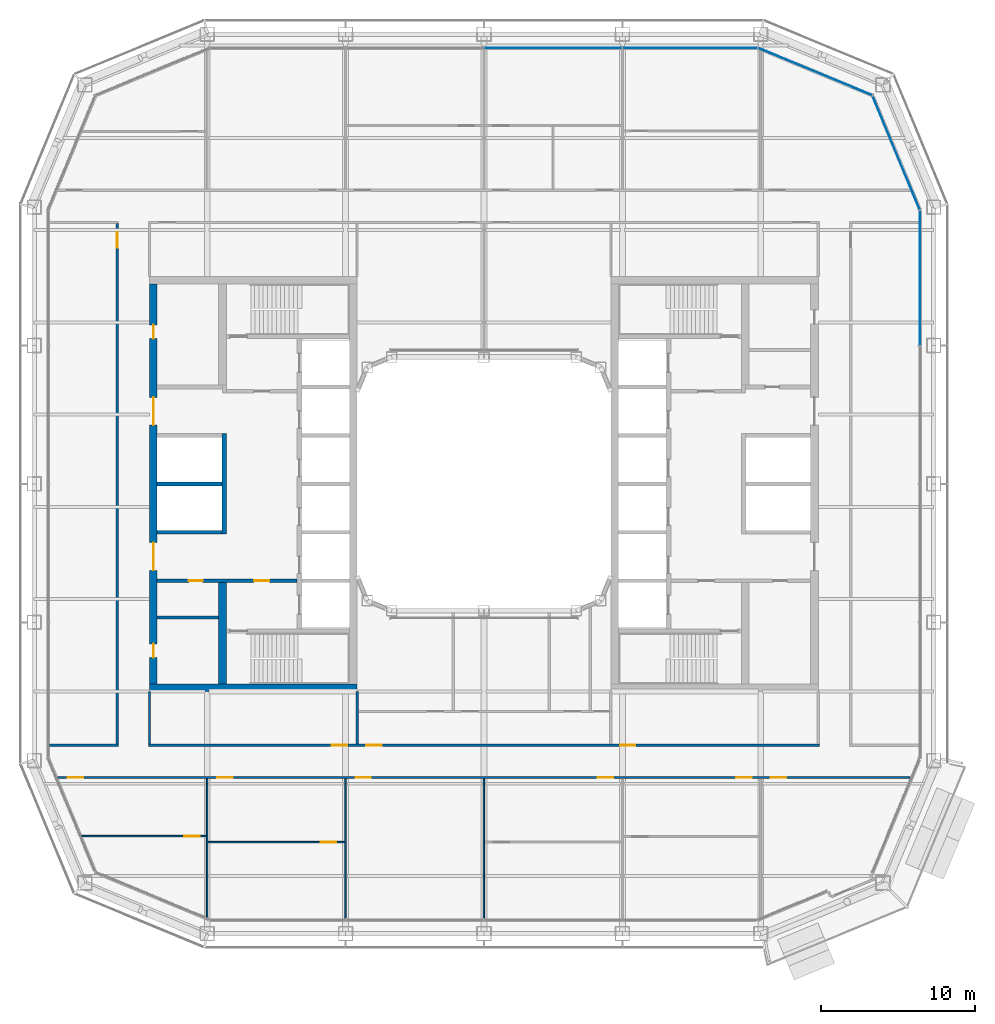
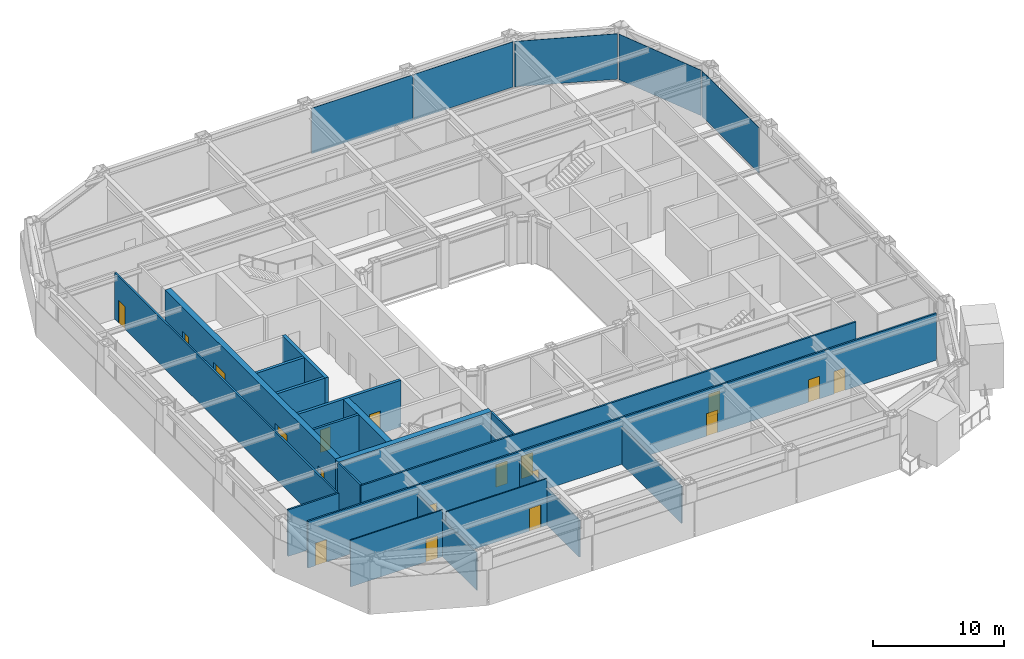
# One storey, part 11 of 23: 19 walls, 18 doors, 5 plates, 18 openings, 4 elements without a shape of their own.
"""IFC4 building model written with IfcOpenShell, lengths in metres."""

from ifc_helpers import new_model, si_unit, direction, frame, frame_2d, origin, origin_2d, place, context, subcontext, project, spatial, rectangle, extrude, material, layer, layer_set, type_object, element, fill, aggregate, save


model = new_model("IFC4")

# Units and contexts
model_context = context("Model", 3, precision=1e-05, world=origin(), true_north=direction((0.0, 1.0)))
body_context = subcontext(model_context, "Body", "Model", "MODEL_VIEW")
ifc_project = project(units=[si_unit("LENGTHUNIT", "METRE"), si_unit("AREAUNIT", "SQUARE_METRE"), si_unit("VOLUMEUNIT", "CUBIC_METRE"), si_unit("PLANEANGLEUNIT", "RADIAN"), si_unit("MASSUNIT", "GRAM", prefix="KILO")], contexts=[model_context])

# Site, building, storey
site_placement = place(None, origin())
site = spatial("IfcSite", under=ifc_project, at=site_placement, CompositionType="ELEMENT")
building_placement = place(site_placement, origin())
building = spatial("IfcBuilding", under=site, at=building_placement, Name="Siwar Civic Tower", CompositionType="ELEMENT")
storey_placement = place(building_placement, frame((0.0, 0.0, 109.199951171875)))
storey = spatial("IfcBuildingStorey", under=building, at=storey_placement, Name="L23", CompositionType="ELEMENT", Elevation=109.199951171875)

# Curtain wall, plate
ifc_material_1 = material(Name="Aluminium and glass", Category="aluminium")
ifc_layer_1 = layer(ifc_material_1, 0.199951171875)
ifc_layer_set_1 = layer_set([ifc_layer_1], Name="Aluminium and glass")
curtain_wall_type_1 = type_object("IfcCurtainWallType", Name="ENV-CW-B", PredefinedType="NOTDEFINED", material=ifc_layer_set_1)
curtain_wall_1_placement = place(storey_placement, origin())
curtain_wall_1 = element("IfcCurtainWall", 1, at=curtain_wall_1_placement, inside=storey, type_object=curtain_wall_type_1, Name="Curtain wall B E", PredefinedType="NOTDEFINED")
ifc_material_2 = material(Name="Glass clear laminated", Category="glass")
ifc_layer_2 = layer(ifc_material_2, 0.033935546875)
ifc_layer_set_2 = layer_set([ifc_layer_2], Name="Glass clear laminated")
plate_type_1 = type_object("IfcPlateType", Name="ENV-PANEL-B", PredefinedType="CURTAIN_PANEL", material=ifc_layer_set_2)
plate_1_placement = place(storey_placement, frame((28.35009765625, 13.369873046875, 0.10986328125), z_axis=(0.0, 0.0, 1.0), x_axis=(0.0, 1.0, 0.0)))
plate_1 = element("IfcPlate", 2, at=plate_1_placement, type_object=plate_type_1, Name="Curtain panel B E 4", PredefinedType="CURTAIN_PANEL", context=body_context, shape_type="SweptSolid", body=[
    extrude(rectangle(XDim=8.6748046875, YDim=0.033935546875, at=origin_2d()), origin(), (0.0, 0.0, 1.0), 4.239990234375),
])
aggregate(curtain_wall_1, [plate_1])

# Curtain wall, plates
curtain_wall_2_placement = place(storey_placement, origin())
curtain_wall_2 = element("IfcCurtainWall", 3, at=curtain_wall_2_placement, inside=storey, type_object=curtain_wall_type_1, Name="Curtain wall B N", PredefinedType="NOTDEFINED")
plate_2_placement = place(storey_placement, frame((13.410400390625, 28.35009765625, 0.10986328125), z_axis=(0.0, 0.0, 1.0), x_axis=(-1.0, 0.0, 0.0)))
plate_2 = element("IfcPlate", 4, at=plate_2_placement, type_object=plate_type_1, Name="Curtain panel B N 1", PredefinedType="CURTAIN_PANEL", context=body_context, shape_type="SweptSolid", body=[
    extrude(rectangle(XDim=8.755859375, YDim=0.033935546875, at=origin_2d()), origin(), (0.0, 0.0, 1.0), 4.239990234375),
])
plate_3_placement = place(storey_placement, frame((4.5, 28.35009765625, 0.10986328125), z_axis=(0.0, 0.0, 1.0), x_axis=(-1.0, 0.0, 0.0)))
plate_3 = element("IfcPlate", 5, at=plate_3_placement, type_object=plate_type_1, Name="Curtain panel B N 2", PredefinedType="CURTAIN_PANEL", context=body_context, shape_type="SweptSolid", body=[
    extrude(rectangle(XDim=8.93505859375, YDim=0.033935546875, at=origin_2d()), origin(), (0.0, 0.0, 1.0), 4.239990234375),
])
aggregate(curtain_wall_2, [plate_2, plate_3])

# Curtain wall, plate
ifc_material_3 = material(Name="Aluminium clad insulated panel", Category="aluminium")
ifc_layer_3 = layer(ifc_material_3, 0.199951171875)
ifc_layer_set_3 = layer_set([ifc_layer_3], Name="Aluminium clad insulated panel")
curtain_wall_type_2 = type_object("IfcCurtainWallType", Name="ENV-CW-BX", PredefinedType="NOTDEFINED", material=ifc_layer_set_3)
curtain_wall_3_placement = place(storey_placement, origin())
curtain_wall_3 = element("IfcCurtainWall", 6, at=curtain_wall_3_placement, inside=storey, type_object=curtain_wall_type_2, Name="Curtain wall B NE1", PredefinedType="NOTDEFINED")
ifc_material_4 = material(Name="Aluminium clad insulated panel", Category="aluminium")
ifc_layer_4 = layer(ifc_material_4, 0.033935546875)
ifc_layer_set_4 = layer_set([ifc_layer_4], Name="Aluminium clad insulated panel")
plate_type_2 = type_object("IfcPlateType", Name="ENV-PANEL-BX", PredefinedType="CURTAIN_PANEL", material=ifc_layer_set_4)
plate_4_placement = place(storey_placement, frame((26.823486328125, 21.506103515625, 0.10986328125), z_axis=(0.0, 0.0, 1.0), x_axis=(-0.382683432365, 0.923879532511, 0.0)))
plate_4 = element("IfcPlate", 7, at=plate_4_placement, type_object=plate_type_2, Name="Curtain panel B NE1 1", PredefinedType="CURTAIN_PANEL", context=body_context, shape_type="SweptSolid", body=[
    extrude(rectangle(XDim=7.912353515625, YDim=0.033935546875, at=origin_2d()), origin(), (0.0, 0.0, 1.0), 4.239990234375),
])
aggregate(curtain_wall_3, [plate_4])

curtain_wall_4_placement = place(storey_placement, origin())
curtain_wall_4 = element("IfcCurtainWall", 8, at=curtain_wall_4_placement, inside=storey, type_object=curtain_wall_type_2, Name="Curtain wall B NE2", PredefinedType="NOTDEFINED")
plate_5_placement = place(storey_placement, frame((21.5810546875, 26.79248046875, 0.10986328125), z_axis=(0.0, 0.0, 1.0), x_axis=(-0.923879532511, 0.382683432365, 0.0)))
plate_5 = element("IfcPlate", 9, at=plate_5_placement, type_object=plate_type_2, Name="Curtain panel B NE2 1", PredefinedType="CURTAIN_PANEL", context=body_context, shape_type="SweptSolid", body=[
    extrude(rectangle(XDim=7.912353515625, YDim=0.033935546875, at=origin_2d()), origin(), (0.0, 0.0, 1.0), 4.239990234375),
])
aggregate(curtain_wall_4, [plate_5])

# Wall
ifc_material_5 = material(Name="Gypsum board on steel studs", Category="steel")
ifc_layer_5 = layer(ifc_material_5, 0.199951171875)
ifc_layer_set_5 = layer_set([ifc_layer_5], Name="Gypsum board on steel studs")
wall_type_1 = type_object("IfcWallType", Name="CORE-PARTITION-200", PredefinedType="PARTITIONING", material=ifc_layer_set_5)
wall_1_placement = place(storey_placement, frame((-17.25, -8.699951171875, 0.0), z_axis=(0.0, 0.0, 1.0), x_axis=(-1.0, 0.0, 0.0)))
element("IfcWall", 10, at=wall_1_placement, inside=storey, type_object=wall_type_1, Name="Core partition W", PredefinedType="PARTITIONING", context=body_context, shape_type="SweptSolid", body=[
    extrude(rectangle(XDim=4.0, YDim=0.199951171875, at=frame_2d((2.0, 0.0))), origin(), (0.0, 0.0, 1.0), 4.35009765625),
])

# Wall, openings, doors
ifc_material_6 = material(Name="Concrete C60/75", Category="concrete")
ifc_layer_6 = layer(ifc_material_6, 0.25)
ifc_layer_set_6 = layer_set([ifc_layer_6], Name="Concrete C60/75")
wall_type_2 = type_object("IfcWallType", Name="CORE-WALL-RC250", PredefinedType="SHEAR", material=ifc_layer_set_6)
wall_2_placement = place(storey_placement, frame((-12.14990234375, -6.300048828125, 0.0), z_axis=(0.0, 0.0, 1.0), x_axis=(-1.0, 0.0, 0.0)))
wall_2 = element("IfcWall", 11, at=wall_2_placement, inside=storey, type_object=wall_type_2, Name="Core wall W", PredefinedType="SHEAR", context=body_context, shape_type="SweptSolid", body=[
    extrude(rectangle(XDim=9.10009765625, YDim=0.25, at=frame_2d((4.550048828125, 0.0))), origin(), (0.0, 0.0, 1.0), 4.35009765625),
])
opening_1_placement = place(wall_2_placement, frame((1.800048828125, 0.0, 0.0)))
opening_1 = element("IfcOpeningElement", 12, at=opening_1_placement, cuts=wall_2, Name="Opening L23-CW02", PredefinedType="OPENING", context=body_context, shape_type="SweptSolid", body=[
    extrude(rectangle(XDim=1.0, YDim=2.10009765625, at=frame_2d((0.5, 1.050048828125))), frame((0.0, 0.135009765625, 0.0), z_axis=(0.0, -1.0, 0.0), x_axis=(1.0, 0.0, 0.0)), (0.0, 0.0, 1.0), 0.27001953125),
])
opening_2_placement = place(wall_2_placement, frame((6.14990234375, 0.0, 0.0)))
opening_2 = element("IfcOpeningElement", 13, at=opening_2_placement, cuts=wall_2, Name="Opening L23-CW14", PredefinedType="OPENING", context=body_context, shape_type="SweptSolid", body=[
    extrude(rectangle(XDim=0.89990234375, YDim=2.10009765625, at=frame_2d((0.449951171875, 1.050048828125))), frame((0.0, 0.135009765625, 0.0), z_axis=(0.0, -1.0, 0.0), x_axis=(1.0, 0.0, 0.0)), (0.0, 0.0, 1.0), 0.27001953125),
])
ifc_material_7 = material(Name="Steel door leaf", Category="steel")
door_type_1 = type_object("IfcDoorType", Name="CORE-DOOR-FD30S", OperationType="SINGLE_SWING_LEFT", PredefinedType="DOOR", material=ifc_material_7)
door_1_placement = place(opening_1_placement, origin())
door_1 = element("IfcDoor", 14, at=door_1_placement, inside=storey, type_object=door_type_1, Name="Service lobby door L23-CW02", OperationType="SINGLE_SWING_RIGHT", OverallHeight=2.10009765625, OverallWidth=1.0, PredefinedType="DOOR", context=body_context, shape_type="SweptSolid", body=[
    extrude(rectangle(XDim=1.0, YDim=2.10009765625, at=frame_2d((0.5, 1.050048828125))), frame((0.0, 0.02490234375, 0.0), z_axis=(0.0, -1.0, 0.0), x_axis=(1.0, 0.0, 0.0)), (0.0, 0.0, 1.0), 0.050048828125),
])
fill(opening_1, door_1)
ifc_material_8 = material(Name="Steel door leaf", Category="steel")
door_type_2 = type_object("IfcDoorType", Name="CORE-DOOR-ROOM", OperationType="SINGLE_SWING_LEFT", PredefinedType="DOOR", material=ifc_material_8)
door_2_placement = place(opening_2_placement, origin())
door_2 = element("IfcDoor", 15, at=door_2_placement, inside=storey, type_object=door_type_2, Name="Core room door L23-CW14", OperationType="SINGLE_SWING_RIGHT", OverallHeight=2.10009765625, OverallWidth=0.89990234375, PredefinedType="DOOR", context=body_context, shape_type="SweptSolid", body=[
    extrude(rectangle(XDim=0.89990234375, YDim=2.10009765625, at=frame_2d((0.449951171875, 1.050048828125))), frame((0.0, 0.02490234375, 0.0), z_axis=(0.0, -1.0, 0.0), x_axis=(1.0, 0.0, 0.0)), (0.0, 0.0, 1.0), 0.050048828125),
])
fill(opening_2, door_2)

# Walls
for number, where, z_axis, x_axis, name in (
    (16, (-17.050048828125, 0.0, 0.0), (0.0, 0.0, 1.0), (-1.0, 0.0, 0.0), "Core wall W"),
    (17, (-17.050048828125, -3.14990234375, 0.0), (0.0, 0.0, 1.0), (-1.0, 0.0, 0.0), "Core wall W"),
):
    element("IfcWall", number, at=place(storey_placement, frame(where, z_axis=z_axis, x_axis=x_axis)), inside=storey, type_object=wall_type_2, Name=name, PredefinedType="SHEAR", context=body_context, shape_type="SweptSolid", body=[
        extrude(rectangle(XDim=4.199951171875, YDim=0.25, at=frame_2d((2.10009765625, 0.0))), origin(), (0.0, 0.0, 1.0), 4.35009765625),
    ])
ifc_material_9 = material(Name="Concrete C60/75", Category="concrete")
ifc_layer_7 = layer(ifc_material_9, 0.300048828125)
ifc_layer_set_7 = layer_set([ifc_layer_7], Name="Concrete C60/75")
wall_type_3 = type_object("IfcWallType", Name="CORE-WALL-RC300", PredefinedType="SHEAR", material=ifc_layer_set_7)
wall_3_placement = place(storey_placement, frame((-16.89990234375, -3.27490234375, 0.0), z_axis=(0.0, 0.0, 1.0), x_axis=(0.0, 1.0, 0.0)))
element("IfcWall", 18, at=wall_3_placement, inside=storey, type_object=wall_type_3, Name="Core wall W", PredefinedType="SHEAR", context=body_context, shape_type="SweptSolid", body=[
    extrude(rectangle(XDim=6.5498046875, YDim=0.300048828125, at=frame_2d((3.27490234375, 0.0))), origin(), (0.0, 0.0, 1.0), 4.35009765625),
])

# Wall, openings, doors
ifc_material_10 = material(Name="Concrete C60/75", Category="concrete")
ifc_layer_8 = layer(ifc_material_10, 0.5)
ifc_layer_set_8 = layer_set([ifc_layer_8], Name="Concrete C60/75")
wall_type_4 = type_object("IfcWallType", Name="CORE-WALL-RC500", PredefinedType="SHEAR", material=ifc_layer_set_8)
wall_4_placement = place(storey_placement, frame((-21.5, -13.0, 0.0), z_axis=(0.0, 0.0, 1.0), x_axis=(0.0, 1.0, 0.0)))
wall_4 = element("IfcWall", 19, at=wall_4_placement, inside=storey, type_object=wall_type_4, Name="Core wall W", PredefinedType="SHEAR", context=body_context, shape_type="SweptSolid", body=[
    extrude(rectangle(XDim=26.0, YDim=0.5, at=frame_2d((13.0, 0.0))), origin(), (0.0, 0.0, 1.0), 4.35009765625),
])
opening_3_placement = place(wall_4_placement, frame((16.824951171875, 0.0, 0.0)))
opening_3 = element("IfcOpeningElement", 20, at=opening_3_placement, cuts=wall_4, Name="Opening L23-CW05", PredefinedType="OPENING", context=body_context, shape_type="SweptSolid", body=[
    extrude(rectangle(XDim=1.800048828125, YDim=2.10009765625, at=frame_2d((0.89990234375, 1.050048828125))), frame((0.0, 0.260009765625, 0.0), z_axis=(0.0, -1.0, 0.0), x_axis=(1.0, 0.0, 0.0)), (0.0, 0.0, 1.0), 0.52001953125),
])
opening_4_placement = place(wall_4_placement, frame((7.375, 0.0, 0.0)))
opening_4 = element("IfcOpeningElement", 21, at=opening_4_placement, cuts=wall_4, Name="Opening L23-CW06", PredefinedType="OPENING", context=body_context, shape_type="SweptSolid", body=[
    extrude(rectangle(XDim=1.800048828125, YDim=2.10009765625, at=frame_2d((0.89990234375, 1.050048828125))), frame((0.0, 0.260009765625, 0.0), z_axis=(0.0, -1.0, 0.0), x_axis=(1.0, 0.0, 0.0)), (0.0, 0.0, 1.0), 0.52001953125),
])
opening_5_placement = place(wall_4_placement, frame((22.449951171875, 0.0, 0.0)))
opening_5 = element("IfcOpeningElement", 22, at=opening_5_placement, cuts=wall_4, Name="Opening L23-CW13", PredefinedType="OPENING", context=body_context, shape_type="SweptSolid", body=[
    extrude(rectangle(XDim=0.89990234375, YDim=2.10009765625, at=frame_2d((0.449951171875, 1.050048828125))), frame((0.0, 0.260009765625, 0.0), z_axis=(0.0, -1.0, 0.0), x_axis=(1.0, 0.0, 0.0)), (0.0, 0.0, 1.0), 0.52001953125),
])
opening_6_placement = place(wall_4_placement, frame((1.699951171875, 0.0, 0.0)))
opening_6 = element("IfcOpeningElement", 23, at=opening_6_placement, cuts=wall_4, Name="Opening L23-CW15", PredefinedType="OPENING", context=body_context, shape_type="SweptSolid", body=[
    extrude(rectangle(XDim=0.89990234375, YDim=2.10009765625, at=frame_2d((0.449951171875, 1.050048828125))), frame((0.0, 0.260009765625, 0.0), z_axis=(0.0, -1.0, 0.0), x_axis=(1.0, 0.0, 0.0)), (0.0, 0.0, 1.0), 0.52001953125),
])
ifc_material_11 = material(Name="Steel door leaf", Category="steel")
door_type_3 = type_object("IfcDoorType", Name="CORE-DOOR-PORT", OperationType="DOUBLE_DOOR_DOUBLE_SWING", PredefinedType="DOOR", material=ifc_material_11)
door_3_placement = place(opening_3_placement, origin())
door_3 = element("IfcDoor", 24, at=door_3_placement, inside=storey, type_object=door_type_3, Name="Core entrance door L23-CW05", OperationType="DOUBLE_DOOR_DOUBLE_SWING", OverallHeight=2.10009765625, OverallWidth=1.800048828125, PredefinedType="DOOR", context=body_context, shape_type="SweptSolid", body=[
    extrude(rectangle(XDim=1.800048828125, YDim=2.10009765625, at=frame_2d((0.89990234375, 1.050048828125))), frame((0.0, 0.02490234375, 0.0), z_axis=(0.0, -1.0, 0.0), x_axis=(1.0, 0.0, 0.0)), (0.0, 0.0, 1.0), 0.050048828125),
])
fill(opening_3, door_3)
door_4_placement = place(opening_4_placement, origin())
door_4 = element("IfcDoor", 25, at=door_4_placement, inside=storey, type_object=door_type_3, Name="Core entrance door L23-CW06", OperationType="DOUBLE_DOOR_DOUBLE_SWING", OverallHeight=2.10009765625, OverallWidth=1.800048828125, PredefinedType="DOOR", context=body_context, shape_type="SweptSolid", body=[
    extrude(rectangle(XDim=1.800048828125, YDim=2.10009765625, at=frame_2d((0.89990234375, 1.050048828125))), frame((0.0, 0.02490234375, 0.0), z_axis=(0.0, -1.0, 0.0), x_axis=(1.0, 0.0, 0.0)), (0.0, 0.0, 1.0), 0.050048828125),
])
fill(opening_4, door_4)
door_5_placement = place(opening_5_placement, origin())
door_5 = element("IfcDoor", 26, at=door_5_placement, inside=storey, type_object=door_type_2, Name="Core room door L23-CW13", OperationType="SINGLE_SWING_RIGHT", OverallHeight=2.10009765625, OverallWidth=0.89990234375, PredefinedType="DOOR", context=body_context, shape_type="SweptSolid", body=[
    extrude(rectangle(XDim=0.89990234375, YDim=2.10009765625, at=frame_2d((0.449951171875, 1.050048828125))), frame((0.0, 0.02490234375, 0.0), z_axis=(0.0, -1.0, 0.0), x_axis=(1.0, 0.0, 0.0)), (0.0, 0.0, 1.0), 0.050048828125),
])
fill(opening_5, door_5)
door_6_placement = place(opening_6_placement, origin())
door_6 = element("IfcDoor", 27, at=door_6_placement, inside=storey, type_object=door_type_2, Name="Core room door L23-CW15", OperationType="SINGLE_SWING_RIGHT", OverallHeight=2.10009765625, OverallWidth=0.89990234375, PredefinedType="DOOR", context=body_context, shape_type="SweptSolid", body=[
    extrude(rectangle(XDim=0.89990234375, YDim=2.10009765625, at=frame_2d((0.449951171875, 1.050048828125))), frame((0.0, 0.02490234375, 0.0), z_axis=(0.0, -1.0, 0.0), x_axis=(1.0, 0.0, 0.0)), (0.0, 0.0, 1.0), 0.050048828125),
])
fill(opening_6, door_6)

# Walls
wall_5_placement = place(storey_placement, frame((-17.0, -13.0, 0.0), z_axis=(0.0, 0.0, 1.0), x_axis=(0.0, 1.0, 0.0)))
element("IfcWall", 28, at=wall_5_placement, inside=storey, type_object=wall_type_4, Name="Core wall W", PredefinedType="SHEAR", context=body_context, shape_type="SweptSolid", body=[
    extrude(rectangle(XDim=6.574951171875, YDim=0.5, at=frame_2d((3.28759765625, 0.0))), origin(), (0.0, 0.0, 1.0), 4.35009765625),
])
wall_6_placement = place(storey_placement, frame((-8.25, -13.25, 0.0), z_axis=(0.0, 0.0, 1.0), x_axis=(-1.0, 0.0, 0.0)))
element("IfcWall", 29, at=wall_6_placement, inside=storey, type_object=wall_type_4, Name="Core wall W", PredefinedType="SHEAR", context=body_context, shape_type="SweptSolid", body=[
    extrude(rectangle(XDim=13.5, YDim=0.5, at=frame_2d((6.75, 0.0))), origin(), (0.0, 0.0, 1.0), 4.35009765625),
])

# Wall, openings, doors
ifc_material_12 = material(Name="Gypsum board on steel studs", Category="steel")
ifc_layer_9 = layer(ifc_material_12, 0.14990234375)
ifc_layer_set_9 = layer_set([ifc_layer_9], Name="Gypsum board on steel studs")
wall_type_5 = type_object("IfcWallType", Name="CORRIDOR PARTITION 150 EI 30", PredefinedType="PARTITIONING", material=ifc_layer_set_9)
wall_7_placement = place(storey_placement, frame((-27.722900390625, -19.10009765625, 0.0), z_axis=(0.0, 0.0, 1.0), x_axis=(1.0, 0.0, 0.0)))
wall_7 = element("IfcWall", 30, at=wall_7_placement, inside=storey, type_object=wall_type_5, Name="L23/wall/P05", PredefinedType="PARTITIONING", context=body_context, shape_type="SweptSolid", body=[
    extrude(rectangle(XDim=55.44580078125, YDim=0.14990234375, at=frame_2d((27.722900390625, 0.0))), origin(), (0.0, 0.0, 1.0), 4.35009765625),
])
opening_7_placement = place(wall_7_placement, frame((10.373046875, 0.0, 0.0)))
opening_7 = element("IfcOpeningElement", 31, at=opening_7_placement, cuts=wall_7, Name="Opening D1", PredefinedType="OPENING", context=body_context, shape_type="SweptSolid", body=[
    extrude(rectangle(XDim=1.0, YDim=2.10009765625, at=frame_2d((0.5, 1.050048828125))), frame((0.0, 0.0849609375, 0.0), z_axis=(0.0, -1.0, 0.0), x_axis=(1.0, 0.0, 0.0)), (0.0, 0.0, 1.0), 0.169921875),
])
opening_8_placement = place(wall_7_placement, frame((19.373046875, 0.0, 0.0)))
opening_8 = element("IfcOpeningElement", 32, at=opening_8_placement, cuts=wall_7, Name="Opening D1", PredefinedType="OPENING", context=body_context, shape_type="SweptSolid", body=[
    extrude(rectangle(XDim=1.0, YDim=2.10009765625, at=frame_2d((0.5, 1.050048828125))), frame((0.0, 0.0849609375, 0.0), z_axis=(0.0, -1.0, 0.0), x_axis=(1.0, 0.0, 0.0)), (0.0, 0.0, 1.0), 0.169921875),
])
opening_9_placement = place(wall_7_placement, frame((35.123046875, 0.0, 0.0)))
opening_9 = element("IfcOpeningElement", 33, at=opening_9_placement, cuts=wall_7, Name="Opening D1", PredefinedType="OPENING", context=body_context, shape_type="SweptSolid", body=[
    extrude(rectangle(XDim=1.0, YDim=2.10009765625, at=frame_2d((0.5, 1.050048828125))), frame((0.0, 0.0849609375, 0.0), z_axis=(0.0, -1.0, 0.0), x_axis=(1.0, 0.0, 0.0)), (0.0, 0.0, 1.0), 0.169921875),
])
opening_10_placement = place(wall_7_placement, frame((44.123046875, 0.0, 0.0)))
opening_10 = element("IfcOpeningElement", 34, at=opening_10_placement, cuts=wall_7, Name="Opening D1", PredefinedType="OPENING", context=body_context, shape_type="SweptSolid", body=[
    extrude(rectangle(XDim=1.0, YDim=2.10009765625, at=frame_2d((0.5, 1.050048828125))), frame((0.0, 0.0849609375, 0.0), z_axis=(0.0, -1.0, 0.0), x_axis=(1.0, 0.0, 0.0)), (0.0, 0.0, 1.0), 0.169921875),
])
opening_11_placement = place(wall_7_placement, frame((0.64990234375, 0.0, 0.0)))
opening_11 = element("IfcOpeningElement", 35, at=opening_11_placement, cuts=wall_7, Name="Opening D1", PredefinedType="OPENING", context=body_context, shape_type="SweptSolid", body=[
    extrude(rectangle(XDim=1.0, YDim=2.10009765625, at=frame_2d((0.5, 1.050048828125))), frame((0.0, 0.0849609375, 0.0), z_axis=(0.0, -1.0, 0.0), x_axis=(1.0, 0.0, 0.0)), (0.0, 0.0, 1.0), 0.169921875),
])
opening_12_placement = place(wall_7_placement, frame((46.373046875, 0.0, 0.0)))
opening_12 = element("IfcOpeningElement", 36, at=opening_12_placement, cuts=wall_7, Name="Opening D1", PredefinedType="OPENING", context=body_context, shape_type="SweptSolid", body=[
    extrude(rectangle(XDim=1.0, YDim=2.10009765625, at=frame_2d((0.5, 1.050048828125))), frame((0.0, 0.0849609375, 0.0), z_axis=(0.0, -1.0, 0.0), x_axis=(1.0, 0.0, 0.0)), (0.0, 0.0, 1.0), 0.169921875),
])
ifc_material_13 = material(Name="Timber, painted", Category="wood")
door_type_4 = type_object("IfcDoorType", Name="DOOR 1000 X 2100 FD30", OperationType="SINGLE_SWING_LEFT", PredefinedType="DOOR", material=ifc_material_13)
door_7_placement = place(opening_7_placement, origin())
door_7 = element("IfcDoor", 37, at=door_7_placement, inside=storey, type_object=door_type_4, Name="L23-D09", OperationType="SINGLE_SWING_LEFT", OverallHeight=2.10009765625, OverallWidth=1.0, PredefinedType="DOOR", context=body_context, shape_type="SweptSolid", body=[
    extrude(rectangle(XDim=1.0, YDim=2.10009765625, at=frame_2d((0.5, 1.050048828125))), frame((0.0, 0.02490234375, 0.0), z_axis=(0.0, -1.0, 0.0), x_axis=(1.0, 0.0, 0.0)), (0.0, 0.0, 1.0), 0.050048828125),
])
fill(opening_7, door_7)
door_8_placement = place(opening_8_placement, origin())
door_8 = element("IfcDoor", 38, at=door_8_placement, inside=storey, type_object=door_type_4, Name="L23-D11", OperationType="SINGLE_SWING_LEFT", OverallHeight=2.10009765625, OverallWidth=1.0, PredefinedType="DOOR", context=body_context, shape_type="SweptSolid", body=[
    extrude(rectangle(XDim=1.0, YDim=2.10009765625, at=frame_2d((0.5, 1.050048828125))), frame((0.0, 0.02490234375, 0.0), z_axis=(0.0, -1.0, 0.0), x_axis=(1.0, 0.0, 0.0)), (0.0, 0.0, 1.0), 0.050048828125),
])
fill(opening_8, door_8)
door_9_placement = place(opening_9_placement, origin())
door_9 = element("IfcDoor", 39, at=door_9_placement, inside=storey, type_object=door_type_4, Name="L23-D12", OperationType="SINGLE_SWING_RIGHT", OverallHeight=2.10009765625, OverallWidth=1.0, PredefinedType="DOOR", context=body_context, shape_type="SweptSolid", body=[
    extrude(rectangle(XDim=1.0, YDim=2.10009765625, at=frame_2d((0.5, 1.050048828125))), frame((0.0, 0.02490234375, 0.0), z_axis=(0.0, -1.0, 0.0), x_axis=(1.0, 0.0, 0.0)), (0.0, 0.0, 1.0), 0.050048828125),
])
fill(opening_9, door_9)
door_10_placement = place(opening_10_placement, origin())
door_10 = element("IfcDoor", 40, at=door_10_placement, inside=storey, type_object=door_type_4, Name="L23-D14", OperationType="SINGLE_SWING_RIGHT", OverallHeight=2.10009765625, OverallWidth=1.0, PredefinedType="DOOR", context=body_context, shape_type="SweptSolid", body=[
    extrude(rectangle(XDim=1.0, YDim=2.10009765625, at=frame_2d((0.5, 1.050048828125))), frame((0.0, 0.02490234375, 0.0), z_axis=(0.0, -1.0, 0.0), x_axis=(1.0, 0.0, 0.0)), (0.0, 0.0, 1.0), 0.050048828125),
])
fill(opening_10, door_10)
door_11_placement = place(opening_11_placement, origin())
door_11 = element("IfcDoor", 41, at=door_11_placement, inside=storey, type_object=door_type_4, Name="L23-D19", OperationType="SINGLE_SWING_LEFT", OverallHeight=2.10009765625, OverallWidth=1.0, PredefinedType="DOOR", context=body_context, shape_type="SweptSolid", body=[
    extrude(rectangle(XDim=1.0, YDim=2.10009765625, at=frame_2d((0.5, 1.050048828125))), frame((0.0, 0.02490234375, 0.0), z_axis=(0.0, -1.0, 0.0), x_axis=(1.0, 0.0, 0.0)), (0.0, 0.0, 1.0), 0.050048828125),
])
fill(opening_11, door_11)
door_12_placement = place(opening_12_placement, origin())
door_12 = element("IfcDoor", 42, at=door_12_placement, inside=storey, type_object=door_type_4, Name="L23-D21", OperationType="SINGLE_SWING_LEFT", OverallHeight=2.10009765625, OverallWidth=1.0, PredefinedType="DOOR", context=body_context, shape_type="SweptSolid", body=[
    extrude(rectangle(XDim=1.0, YDim=2.10009765625, at=frame_2d((0.5, 1.050048828125))), frame((0.0, 0.02490234375, 0.0), z_axis=(0.0, -1.0, 0.0), x_axis=(1.0, 0.0, 0.0)), (0.0, 0.0, 1.0), 0.050048828125),
])
fill(opening_12, door_12)

# Wall
wall_8_placement = place(storey_placement, frame((-28.260009765625, -17.0, 0.0), z_axis=(0.0, 0.0, 1.0), x_axis=(1.0, 0.0, 0.0)))
element("IfcWall", 43, at=wall_8_placement, inside=storey, type_object=wall_type_5, Name="L23/wall/P06", PredefinedType="PARTITIONING", context=body_context, shape_type="SweptSolid", body=[
    extrude(rectangle(XDim=4.485107421875, YDim=0.14990234375, at=frame_2d((2.24267578125, 0.0))), origin(), (0.0, 0.0, 1.0), 4.35009765625),
])

# Wall, openings, doors
wall_9_placement = place(storey_placement, frame((-21.824951171875, -17.0, 0.0), z_axis=(0.0, 0.0, 1.0), x_axis=(1.0, 0.0, 0.0)))
wall_9 = element("IfcWall", 44, at=wall_9_placement, inside=storey, type_object=wall_type_5, Name="L23/wall/P07", PredefinedType="PARTITIONING", context=body_context, shape_type="SweptSolid", body=[
    extrude(rectangle(XDim=43.64990234375, YDim=0.14990234375, at=frame_2d((21.824951171875, 0.0))), origin(), (0.0, 0.0, 1.0), 4.35009765625),
])
opening_13_placement = place(wall_9_placement, frame((14.175048828125, 0.0, 0.0)))
opening_13 = element("IfcOpeningElement", 45, at=opening_13_placement, cuts=wall_9, Name="Opening D1", PredefinedType="OPENING", context=body_context, shape_type="SweptSolid", body=[
    extrude(rectangle(XDim=1.0, YDim=2.10009765625, at=frame_2d((0.5, 1.050048828125))), frame((0.0, 0.0849609375, 0.0), z_axis=(0.0, -1.0, 0.0), x_axis=(1.0, 0.0, 0.0)), (0.0, 0.0, 1.0), 0.169921875),
])
opening_14_placement = place(wall_9_placement, frame((11.925048828125, 0.0, 0.0)))
opening_14 = element("IfcOpeningElement", 46, at=opening_14_placement, cuts=wall_9, Name="Opening D1", PredefinedType="OPENING", context=body_context, shape_type="SweptSolid", body=[
    extrude(rectangle(XDim=1.0, YDim=2.10009765625, at=frame_2d((0.5, 1.050048828125))), frame((0.0, 0.0849609375, 0.0), z_axis=(0.0, -1.0, 0.0), x_axis=(1.0, 0.0, 0.0)), (0.0, 0.0, 1.0), 0.169921875),
])
opening_15_placement = place(wall_9_placement, frame((30.675048828125, 0.0, 0.0)))
opening_15 = element("IfcOpeningElement", 47, at=opening_15_placement, cuts=wall_9, Name="Opening D1", PredefinedType="OPENING", context=body_context, shape_type="SweptSolid", body=[
    extrude(rectangle(XDim=1.0, YDim=2.10009765625, at=frame_2d((0.5, 1.050048828125))), frame((0.0, 0.0849609375, 0.0), z_axis=(0.0, -1.0, 0.0), x_axis=(1.0, 0.0, 0.0)), (0.0, 0.0, 1.0), 0.169921875),
])
door_13_placement = place(opening_13_placement, origin())
door_13 = element("IfcDoor", 48, at=door_13_placement, inside=storey, type_object=door_type_4, Name="L23-D24", OperationType="SINGLE_SWING_RIGHT", OverallHeight=2.10009765625, OverallWidth=1.0, PredefinedType="DOOR", context=body_context, shape_type="SweptSolid", body=[
    extrude(rectangle(XDim=1.0, YDim=2.10009765625, at=frame_2d((0.5, 1.050048828125))), frame((0.0, 0.02490234375, 0.0), z_axis=(0.0, -1.0, 0.0), x_axis=(1.0, 0.0, 0.0)), (0.0, 0.0, 1.0), 0.050048828125),
])
fill(opening_13, door_13)
door_14_placement = place(opening_14_placement, origin())
door_14 = element("IfcDoor", 49, at=door_14_placement, inside=storey, type_object=door_type_4, Name="L23-D31", OperationType="SINGLE_SWING_LEFT", OverallHeight=2.10009765625, OverallWidth=1.0, PredefinedType="DOOR", context=body_context, shape_type="SweptSolid", body=[
    extrude(rectangle(XDim=1.0, YDim=2.10009765625, at=frame_2d((0.5, 1.050048828125))), frame((0.0, 0.02490234375, 0.0), z_axis=(0.0, -1.0, 0.0), x_axis=(1.0, 0.0, 0.0)), (0.0, 0.0, 1.0), 0.050048828125),
])
fill(opening_14, door_14)
door_15_placement = place(opening_15_placement, origin())
door_15 = element("IfcDoor", 50, at=door_15_placement, inside=storey, type_object=door_type_4, Name="L23-D32", OperationType="SINGLE_SWING_RIGHT", OverallHeight=2.10009765625, OverallWidth=1.0, PredefinedType="DOOR", context=body_context, shape_type="SweptSolid", body=[
    extrude(rectangle(XDim=1.0, YDim=2.10009765625, at=frame_2d((0.5, 1.050048828125))), frame((0.0, 0.02490234375, 0.0), z_axis=(0.0, -1.0, 0.0), x_axis=(1.0, 0.0, 0.0)), (0.0, 0.0, 1.0), 0.050048828125),
])
fill(opening_15, door_15)

# Wall, opening, door
wall_10_placement = place(storey_placement, frame((-23.85009765625, -16.925048828125, 0.0), z_axis=(0.0, 0.0, 1.0), x_axis=(0.0, 1.0, 0.0)))
wall_10 = element("IfcWall", 51, at=wall_10_placement, inside=storey, type_object=wall_type_5, Name="L23/wall/P18", PredefinedType="PARTITIONING", context=body_context, shape_type="SweptSolid", body=[
    extrude(rectangle(XDim=33.85009765625, YDim=0.14990234375, at=frame_2d((16.925048828125, 0.0))), origin(), (0.0, 0.0, 1.0), 4.35009765625),
])
opening_16_placement = place(wall_10_placement, frame((32.27490234375, 0.0, 0.0)))
opening_16 = element("IfcOpeningElement", 52, at=opening_16_placement, cuts=wall_10, Name="Opening D1", PredefinedType="OPENING", context=body_context, shape_type="SweptSolid", body=[
    extrude(rectangle(XDim=1.0, YDim=2.10009765625, at=frame_2d((0.5, 1.050048828125))), frame((0.0, 0.0849609375, 0.0), z_axis=(0.0, -1.0, 0.0), x_axis=(1.0, 0.0, 0.0)), (0.0, 0.0, 1.0), 0.169921875),
])
door_16_placement = place(opening_16_placement, origin())
door_16 = element("IfcDoor", 53, at=door_16_placement, inside=storey, type_object=door_type_4, Name="L23-D33", OperationType="SINGLE_SWING_LEFT", OverallHeight=2.10009765625, OverallWidth=1.0, PredefinedType="DOOR", context=body_context, shape_type="SweptSolid", body=[
    extrude(rectangle(XDim=1.0, YDim=2.10009765625, at=frame_2d((0.5, 1.050048828125))), frame((0.0, 0.02490234375, 0.0), z_axis=(0.0, -1.0, 0.0), x_axis=(1.0, 0.0, 0.0)), (0.0, 0.0, 1.0), 0.050048828125),
])
fill(opening_16, door_16)

# Walls
for number, where, z_axis, x_axis, name in (
    (54, (-21.75, -16.925048828125, 0.0), (0.0, 0.0, 1.0), (0.0, 1.0, 0.0), "L23/wall/P19"),
    (55, (-8.25, -16.925048828125, 0.0), (0.0, 0.0, 1.0), (0.0, 1.0, 0.0), "L23/wall/P26"),
):
    element("IfcWall", number, at=place(storey_placement, frame(where, z_axis=z_axis, x_axis=x_axis)), inside=storey, type_object=wall_type_5, Name=name, PredefinedType="PARTITIONING", context=body_context, shape_type="SweptSolid", body=[
        extrude(rectangle(XDim=3.425048828125, YDim=0.14990234375, at=frame_2d((1.71240234375, 0.0))), origin(), (0.0, 0.0, 1.0), 4.35009765625),
    ])

# Wall, opening, door
ifc_material_14 = material(Name="Gypsum board on steel studs", Category="steel")
ifc_layer_10 = layer(ifc_material_14, 0.10009765625)
ifc_layer_set_10 = layer_set([ifc_layer_10], Name="Gypsum board on steel studs")
wall_type_6 = type_object("IfcWallType", Name="PARTITION 100 GYPSUM", PredefinedType="PARTITIONING", material=ifc_layer_set_10)
wall_11_placement = place(storey_placement, frame((-17.949951171875, -23.300048828125, 0.0), z_axis=(0.0, 0.0, 1.0), x_axis=(1.0, 0.0, 0.0)))
wall_11 = element("IfcWall", 56, at=wall_11_placement, inside=storey, type_object=wall_type_6, Name="L23/wall/P01", PredefinedType="PARTITIONING", context=body_context, shape_type="SweptSolid", body=[
    extrude(rectangle(XDim=8.89990234375, YDim=0.10009765625, at=frame_2d((4.449951171875, 0.0))), origin(), (0.0, 0.0, 1.0), 4.35009765625),
])
opening_17_placement = place(wall_11_placement, frame((7.35009765625, 0.0, 0.0)))
opening_17 = element("IfcOpeningElement", 57, at=opening_17_placement, cuts=wall_11, Name="Opening D2", PredefinedType="OPENING", context=body_context, shape_type="SweptSolid", body=[
    extrude(rectangle(XDim=1.0, YDim=2.10009765625, at=frame_2d((0.5, 1.050048828125))), frame((0.0, 0.06005859375, 0.0), z_axis=(0.0, -1.0, 0.0), x_axis=(1.0, 0.0, 0.0)), (0.0, 0.0, 1.0), 0.1201171875),
])
ifc_material_15 = material(Name="Timber, painted", Category="wood")
door_type_5 = type_object("IfcDoorType", Name="DOOR 1000 X 2100", OperationType="SINGLE_SWING_LEFT", PredefinedType="DOOR", material=ifc_material_15)
door_17_placement = place(opening_17_placement, origin())
door_17 = element("IfcDoor", 58, at=door_17_placement, inside=storey, type_object=door_type_5, Name="L23-D10", OperationType="SINGLE_SWING_RIGHT", OverallHeight=2.10009765625, OverallWidth=1.0, PredefinedType="DOOR", context=body_context, shape_type="SweptSolid", body=[
    extrude(rectangle(XDim=1.0, YDim=2.10009765625, at=frame_2d((0.5, 1.050048828125))), frame((0.0, 0.02490234375, 0.0), z_axis=(0.0, -1.0, 0.0), x_axis=(1.0, 0.0, 0.0)), (0.0, 0.0, 1.0), 0.050048828125),
])
fill(opening_17, door_17)

wall_12_placement = place(storey_placement, frame((-26.14306640625, -22.9130859375, 0.0), z_axis=(0.0, 0.0, 1.0), x_axis=(1.0, 0.0, 0.0)))
wall_12 = element("IfcWall", 59, at=wall_12_placement, inside=storey, type_object=wall_type_6, Name="L23/wall/P04", PredefinedType="PARTITIONING", context=body_context, shape_type="SweptSolid", body=[
    extrude(rectangle(XDim=8.093017578125, YDim=0.10009765625, at=frame_2d((4.04638671875, 0.0))), origin(), (0.0, 0.0, 1.0), 4.35009765625),
])
opening_18_placement = place(wall_12_placement, frame((6.64990234375, 0.0, 0.0)))
opening_18 = element("IfcOpeningElement", 60, at=opening_18_placement, cuts=wall_12, Name="Opening D2", PredefinedType="OPENING", context=body_context, shape_type="SweptSolid", body=[
    extrude(rectangle(XDim=1.0, YDim=2.10009765625, at=frame_2d((0.5, 1.050048828125))), frame((0.0, 0.06005859375, 0.0), z_axis=(0.0, -1.0, 0.0), x_axis=(1.0, 0.0, 0.0)), (0.0, 0.0, 1.0), 0.1201171875),
])
door_18_placement = place(opening_18_placement, origin())
door_18 = element("IfcDoor", 61, at=door_18_placement, inside=storey, type_object=door_type_5, Name="L23-D20", OperationType="SINGLE_SWING_RIGHT", OverallHeight=2.10009765625, OverallWidth=1.0, PredefinedType="DOOR", context=body_context, shape_type="SweptSolid", body=[
    extrude(rectangle(XDim=1.0, YDim=2.10009765625, at=frame_2d((0.5, 1.050048828125))), frame((0.0, 0.02490234375, 0.0), z_axis=(0.0, -1.0, 0.0), x_axis=(1.0, 0.0, 0.0)), (0.0, 0.0, 1.0), 0.050048828125),
])
fill(opening_18, door_18)

# Walls
wall_13_placement = place(storey_placement, frame((-18.0, -28.177978515625, 0.0), z_axis=(0.0, 0.0, 1.0), x_axis=(0.0, 1.0, 0.0)))
element("IfcWall", 62, at=wall_13_placement, inside=storey, type_object=wall_type_6, Name="L23/wall/P21", PredefinedType="PARTITIONING", context=body_context, shape_type="SweptSolid", body=[
    extrude(rectangle(XDim=9.0029296875, YDim=0.10009765625, at=frame_2d((4.50146484375, 0.0))), origin(), (0.0, 0.0, 1.0), 3.449951171875),
])
for number, where, z_axis, x_axis, name in (
    (63, (-9.0, -28.260009765625, 0.0), (0.0, 0.0, 1.0), (0.0, 1.0, 0.0), "L23/wall/P23"),
    (64, (0.0, -28.260009765625, 0.0), (0.0, 0.0, 1.0), (0.0, 1.0, 0.0), "L23/wall/P28"),
):
    element("IfcWall", number, at=place(storey_placement, frame(where, z_axis=z_axis, x_axis=x_axis)), inside=storey, type_object=wall_type_6, Name=name, PredefinedType="PARTITIONING", context=body_context, shape_type="SweptSolid", body=[
        extrude(rectangle(XDim=9.0849609375, YDim=0.10009765625, at=frame_2d((4.54248046875, 0.0))), origin(), (0.0, 0.0, 1.0), 3.449951171875),
    ])

save(model, "model.ifc")
